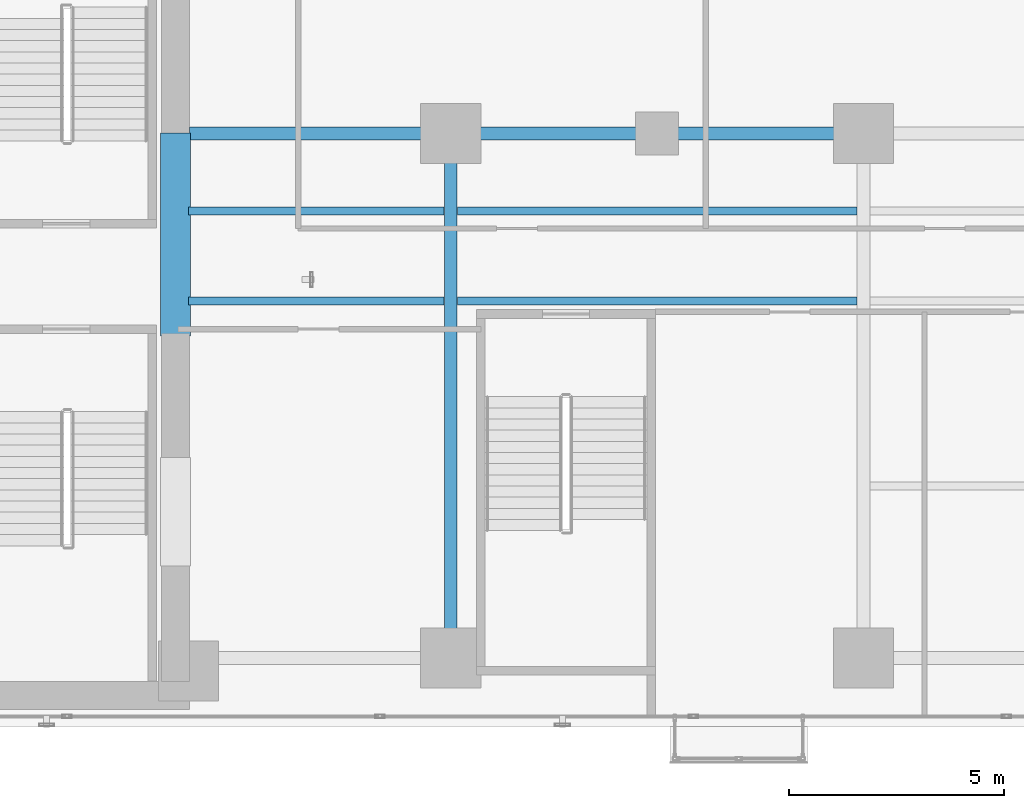
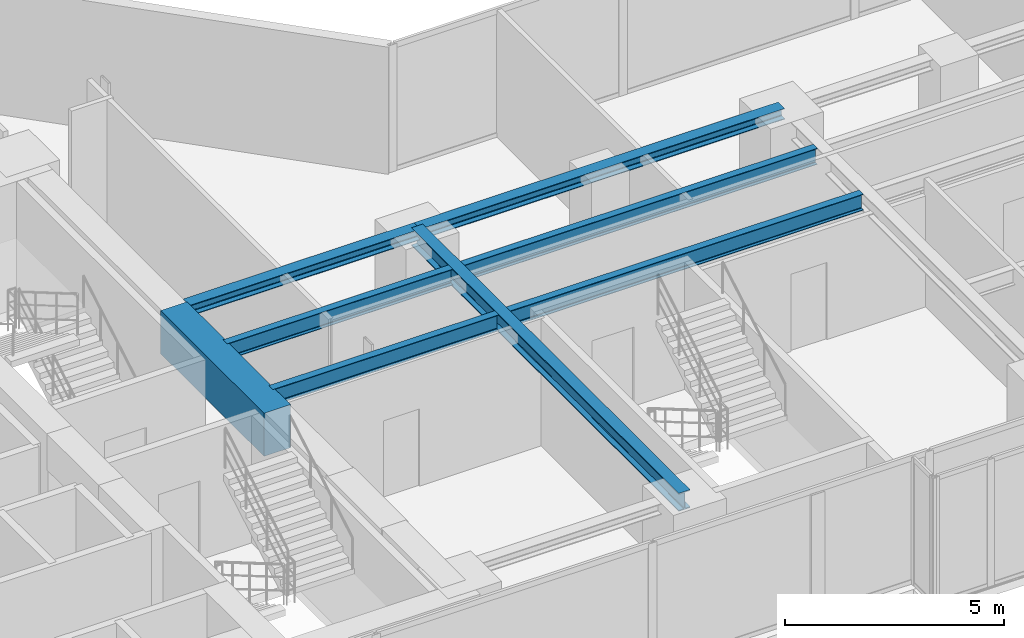
# One storey, part 6 of 28: 8 beams.
"""IFC4 building model written with IfcOpenShell, lengths in metres."""

import ifcopenshell
import ifcopenshell.guid

model = None  # the IFC model being written
_history = None  # IfcOwnerHistory: only IFC2X3 demands one
_inside = {}  # id of a spatial element -> (the spatial element, [elements in it])
_under = {}  # id of a project, library or spatial element -> (it, [spatial elements below it])
_declared = {}  # id of a project -> (the project, [libraries it declares])
_typed = {}  # id of a type object -> (the type object, [elements of that type])
_made_of = {}  # id of a material, layer set ... -> (it, [elements and type objects made of it])


def new_model(schema):
    """Start an empty IFC model of exactly this schema.

    Asked for "IFC4X3", IfcOpenShell would pick the latest addendum, in which some entities
    have other attributes; the version numbers below select the first issue.
    IFC2X3 requires an IfcOwnerHistory on every rooted entity: one is made here for all.
    """
    global model, _history
    if schema == "IFC4X3":
        model = ifcopenshell.file(schema_version=(4, 3, 0, 0))
    else:
        model = ifcopenshell.file(schema=schema)
    _inside.clear()
    _under.clear()
    _declared.clear()
    _typed.clear()
    _made_of.clear()
    _history = None
    if model.schema == "IFC2X3":
        org = make("IfcOrganization", Name="unknown")
        user = make(
            "IfcPersonAndOrganization",
            ThePerson=make("IfcPerson", FamilyName="unknown"),
            TheOrganization=org,
        )
        app = make(
            "IfcApplication",
            ApplicationDeveloper=org,
            Version="unknown",
            ApplicationFullName="unknown",
            ApplicationIdentifier="unknown",
        )
        _history = make(
            "IfcOwnerHistory",
            OwningUser=user,
            OwningApplication=app,
            ChangeAction="ADDED",
            CreationDate=0,
        )
    return model


def make(cls, **values):
    """One entity of the class cls with the attributes given. An attribute that is None is left unset."""
    return model.create_entity(
        cls, **{name: value for name, value in values.items() if value is not None}
    )


def rooted(cls, **values):
    """An entity with a GlobalId (a new one), such as an element, a storey or a relation."""
    return make(cls, GlobalId=ifcopenshell.guid.new(), OwnerHistory=_history, **values)


def si_unit(unit_type, name, prefix=None):
    """IfcSIUnit, for example si_unit("LENGTHUNIT", "METRE", prefix="MILLI")."""
    return make("IfcSIUnit", UnitType=unit_type, Prefix=prefix, Name=name)


def assignment(units):
    """IfcUnitAssignment: the units of a project."""
    return None if units is None else make("IfcUnitAssignment", Units=units)


def point(xyz):
    """IfcCartesianPoint."""
    return None if xyz is None else make("IfcCartesianPoint", Coordinates=xyz)


def direction(xyz):
    """IfcDirection."""
    return None if xyz is None else make("IfcDirection", DirectionRatios=xyz)


def frame(location, z_axis=None, x_axis=None):
    """IfcAxis2Placement3D, a coordinate frame: its origin and axes. An axis left out is left unset."""
    return make(
        "IfcAxis2Placement3D",
        Location=point(location),
        Axis=direction(z_axis),
        RefDirection=direction(x_axis),
    )


def frame_2d(location, x_axis=None):
    """IfcAxis2Placement2D, a coordinate frame in the plane: its origin and x axis."""
    return make(
        "IfcAxis2Placement2D", Location=point(location), RefDirection=direction(x_axis)
    )


def origin():
    """The frame at (0, 0, 0) with its axes left unset."""
    return frame((0.0, 0.0, 0.0))


def origin_2d():
    """The frame at (0, 0) in the plane with its x axis left unset."""
    return frame_2d((0.0, 0.0))


def place(relative_to, where):
    """IfcLocalPlacement: puts the frame where relative to a parent placement (None: the world)."""
    return make(
        "IfcLocalPlacement", PlacementRelTo=relative_to, RelativePlacement=where
    )


def context(
    kind, dimensions, precision=None, world=None, true_north=None, identifier=None
):
    """IfcGeometricRepresentationContext, for example the 3D "Model" context."""
    return make(
        "IfcGeometricRepresentationContext",
        ContextIdentifier=identifier,
        ContextType=kind,
        CoordinateSpaceDimension=dimensions,
        Precision=precision,
        WorldCoordinateSystem=world,
        TrueNorth=true_north,
    )


def subcontext(parent, identifier, kind, view, scale=None):
    """IfcGeometricRepresentationSubContext, for example "Body" below "Model"."""
    return make(
        "IfcGeometricRepresentationSubContext",
        ContextIdentifier=identifier,
        ContextType=kind,
        ParentContext=parent,
        TargetScale=scale,
        TargetView=view,
    )


def project(units=None, contexts=None):
    """IfcProject with its units and contexts."""
    return rooted(
        "IfcProject",
        Name="project",
        RepresentationContexts=contexts,
        UnitsInContext=assignment(units),
    )


def spatial(cls, under=None, at=None, **own):
    """A site, building, storey or space (cls), placed at a placement, below another one or the project."""
    s = rooted(cls, ObjectPlacement=at, **own)
    if under is not None:
        _under.setdefault(under.id(), (under, []))[1].append(s)
    return s


def profile(cls, at=None, kind="AREA", **sizes):
    """A parametric profile (cls). Its sizes go by their IFC names, for example OverallWidth=200.0."""
    return make(cls, ProfileType=kind, Position=at, **sizes)


def rectangle(**sizes):
    """IfcRectangleProfileDef."""
    return profile("IfcRectangleProfileDef", **sizes)


def i_section(**sizes):
    """IfcIShapeProfileDef."""
    return profile("IfcIShapeProfileDef", **sizes)


def extrude(swept, where, along, depth):
    """IfcExtrudedAreaSolid: the profile swept, set in the frame where, extruded along a direction by depth."""
    return make(
        "IfcExtrudedAreaSolid",
        SweptArea=swept,
        Position=where,
        ExtrudedDirection=direction(along),
        Depth=depth,
    )


def shape(context_of_items, identifier, shape_type, items):
    """IfcShapeRepresentation: the items that make up one representation, for example the "Body"."""
    return make(
        "IfcShapeRepresentation",
        ContextOfItems=context_of_items,
        RepresentationIdentifier=identifier,
        RepresentationType=shape_type,
        Items=items,
    )


def material(Name=None, Category=None):
    """IfcMaterial."""
    return make("IfcMaterial", Name=Name, Category=Category)


def material_profile(
    of_material, cross_section, Name=None, Category=None, Priority=None
):
    """IfcMaterialProfile: a cross section and its material."""
    return make(
        "IfcMaterialProfile",
        Name=Name,
        Material=of_material,
        Profile=cross_section,
        Priority=Priority,
        Category=Category,
    )


def profile_set(profiles, Name=None, composite=None):
    """IfcMaterialProfileSet."""
    return make(
        "IfcMaterialProfileSet",
        Name=Name,
        MaterialProfiles=profiles,
        CompositeProfile=composite,
    )


def made_of(thing, what):
    """Note that an element or type object is made of a material, layer set ...; save() writes the relation."""
    if what is not None:
        _made_of.setdefault(what.id(), (what, []))[1].append(thing)
    return thing


def type_object(cls, material=None, **own):
    """A type object (cls), such as IfcWallType, which elements share."""
    return made_of(rooted(cls, **own), material)


def element(
    cls,
    number,
    at=None,
    inside=None,
    cuts=None,
    type_object=None,
    material=None,
    context=None,
    identifier="Body",
    shape_type=None,
    held_by="IfcProductDefinitionShape",
    body=None,
    shapes=None,
    **own,
):
    """One element of the class cls, such as IfcWall. Its Tag is "e" and its number.

    at: its placement. inside: the storey or other place that contains it. cuts: it is an
    opening in that element (IfcRelVoidsElement). A single representation is given by context,
    identifier, shape_type and body (its items); several are given by shapes. held_by: the class
    of the entity that holds the representations. save() writes the other relations.
    """
    e = rooted(cls, Tag="e%d" % number, ObjectPlacement=at, **own)
    if body is not None:
        shapes = [shape(context, identifier, shape_type, body)]
    if shapes is not None:
        e.Representation = make(held_by, Representations=shapes)
    if inside is not None:
        _inside.setdefault(inside.id(), (inside, []))[1].append(e)
    if cuts is not None:
        rooted(
            "IfcRelVoidsElement", RelatingBuildingElement=cuts, RelatedOpeningElement=e
        )
    if type_object is not None:
        _typed.setdefault(type_object.id(), (type_object, []))[1].append(e)
    return made_of(e, material)


def aggregate(whole, parts):
    """IfcRelAggregates: a whole, such as a stair, and the parts it consists of."""
    return rooted("IfcRelAggregates", RelatingObject=whole, RelatedObjects=parts)


def save(model, path):
    """Write the relations noted so far, then the file.

    IfcRelAggregates (storeys below a building ...), IfcRelContainedInSpatialStructure (elements
    in a storey), IfcRelDefinesByType, IfcRelAssociatesMaterial and IfcRelDeclares: one each for
    every whole, place, type object, material and project.
    """
    for whole, parts in _under.values():
        aggregate(whole, parts)
    for where, things in _inside.values():
        rooted(
            "IfcRelContainedInSpatialStructure",
            RelatedElements=things,
            RelatingStructure=where,
        )
    for kind, things in _typed.values():
        rooted("IfcRelDefinesByType", RelatedObjects=things, RelatingType=kind)
    for what, things in _made_of.values():
        rooted("IfcRelAssociatesMaterial", RelatedObjects=things, RelatingMaterial=what)
    for by, libraries in _declared.values():
        rooted("IfcRelDeclares", RelatingContext=by, RelatedDefinitions=libraries)
    model.write(path)


model = new_model("IFC4")

# Units and contexts
model_context = context("Model", 3, precision=1e-05, world=origin(), true_north=direction((0.0, 1.0)))
body_context = subcontext(model_context, "Body", "Model", "MODEL_VIEW")
ifc_project = project(units=[si_unit("LENGTHUNIT", "METRE"), si_unit("AREAUNIT", "SQUARE_METRE"), si_unit("VOLUMEUNIT", "CUBIC_METRE"), si_unit("PLANEANGLEUNIT", "RADIAN"), si_unit("MASSUNIT", "GRAM", prefix="KILO")], contexts=[model_context])

# Site, building, storey
site_placement = place(None, origin())
site = spatial("IfcSite", under=ifc_project, at=site_placement, CompositionType="ELEMENT")
building_placement = place(site_placement, origin())
building = spatial("IfcBuilding", under=site, at=building_placement, Name="Kolvaren Waterfront Exchange", CompositionType="ELEMENT")
storey_placement = place(building_placement, frame((0.0, 0.0, 114.5)))
storey = spatial("IfcBuildingStorey", under=building, at=storey_placement, Name="L29", CompositionType="ELEMENT", Elevation=114.5)

# Beams
ifc_material_1 = material(Name="Steel S355", Category="steel")
ifc_material_profile_1 = material_profile(ifc_material_1, i_section(OverallWidth=0.300048828125, OverallDepth=0.300048828125, WebThickness=0.010986328125, FlangeThickness=0.01904296875, FilletRadius=0.027099609375, at=origin_2d()), Name="HEB300")
ifc_profile_set_1 = profile_set([ifc_material_profile_1], Name="Steel S355")
beam_type_1 = type_object("IfcBeamType", Name="STR-BM-HEB300", PredefinedType="SPANDREL", material=ifc_profile_set_1)
beam_1_placement = place(storey_placement, frame((21.125, 17.39990234375, 3.389892578125), z_axis=(1.0, 0.0, 0.0), x_axis=(0.0, 1.0, 0.0)))
element("IfcBeam", 1, at=beam_1_placement, inside=storey, type_object=beam_type_1, Name="L29 east-arm spandrel N1", PredefinedType="SPANDREL", context=body_context, shape_type="SweptSolid", body=[
    extrude(i_section(OverallWidth=0.300048828125, OverallDepth=0.300048828125, WebThickness=0.010986328125, FlangeThickness=0.01904296875, FilletRadius=0.027099609375, at=origin_2d()), origin(), (0.0, 0.0, 1.0), 6.074951171875),
])
beam_2_placement = place(storey_placement, frame((27.199951171875, 17.39990234375, 3.389892578125), z_axis=(1.0, 0.0, 0.0), x_axis=(0.0, 1.0, 0.0)))
element("IfcBeam", 2, at=beam_2_placement, inside=storey, type_object=beam_type_1, Name="L29 east-arm spandrel N2", PredefinedType="SPANDREL", context=body_context, shape_type="SweptSolid", body=[
    extrude(i_section(OverallWidth=0.300048828125, OverallDepth=0.300048828125, WebThickness=0.010986328125, FlangeThickness=0.01904296875, FilletRadius=0.027099609375, at=origin_2d()), origin(), (0.0, 0.0, 1.0), 9.60009765625),
])
ifc_material_profile_2 = material_profile(ifc_material_1, i_section(OverallWidth=0.300048828125, OverallDepth=0.5, WebThickness=0.014404296875, FlangeThickness=0.028076171875, FilletRadius=0.027099609375, at=origin_2d()), Name="HEB500")
ifc_profile_set_2 = profile_set([ifc_material_profile_2], Name="Steel S355")
beam_type_2 = type_object("IfcBeamType", Name="STR-BM-HEB500", PredefinedType="BEAM", material=ifc_profile_set_2)
beam_3_placement = place(storey_placement, frame((27.199951171875, 5.199951171875, 3.2900390625), z_axis=(0.0, 1.0, 0.0), x_axis=(-1.0, 0.0, 0.0)))
element("IfcBeam", 3, at=beam_3_placement, inside=storey, type_object=beam_type_2, Name="L29 east-arm transverse girder X27", PredefinedType="BEAM", context=body_context, shape_type="SweptSolid", body=[
    extrude(i_section(OverallWidth=0.300048828125, OverallDepth=0.5, WebThickness=0.014404296875, FlangeThickness=0.028076171875, FilletRadius=0.027099609375, at=origin_2d()), origin(), (0.0, 0.0, 1.0), 12.199951171875),
])
ifc_material_profile_3 = material_profile(ifc_material_1, i_section(OverallWidth=0.18994140625, OverallDepth=0.449951171875, WebThickness=0.009521484375, FlangeThickness=0.0146484375, FilletRadius=0.02099609375, at=origin_2d()), Name="IPE450")
ifc_profile_set_3 = profile_set([ifc_material_profile_3], Name="Steel S355")
beam_type_3 = type_object("IfcBeamType", Name="STR-BM-IPE450", PredefinedType="JOIST", material=ifc_profile_set_3)
for number, where, z_axis, x_axis, name in (
    (4, (21.10009765625, 13.5, 3.31494140625), (1.0, 0.0, 0.0), (0.0, 1.0, 0.0), "L29 east-arm composite joist 1A"),
    (5, (21.10009765625, 15.60009765625, 3.31494140625), (1.0, 0.0, 0.0), (0.0, 1.0, 0.0), "L29 east-arm composite joist 1C"),
):
    element("IfcBeam", number, at=place(storey_placement, frame(where, z_axis=z_axis, x_axis=x_axis)), inside=storey, type_object=beam_type_3, Name=name, PredefinedType="JOIST", context=body_context, shape_type="SweptSolid", body=[
        extrude(i_section(OverallWidth=0.18994140625, OverallDepth=0.449951171875, WebThickness=0.009521484375, FlangeThickness=0.0146484375, FilletRadius=0.02099609375, at=origin_2d()), origin(), (0.0, 0.0, 1.0), 5.947998046875),
    ])
for number, where, z_axis, x_axis, name in (
    (6, (27.35205078125, 13.5, 3.31494140625), (1.0, 0.0, 0.0), (0.0, 1.0, 0.0), "L29 east-arm composite joist 2A"),
    (7, (27.35205078125, 15.60009765625, 3.31494140625), (1.0, 0.0, 0.0), (0.0, 1.0, 0.0), "L29 east-arm composite joist 2C"),
):
    element("IfcBeam", number, at=place(storey_placement, frame(where, z_axis=z_axis, x_axis=x_axis)), inside=storey, type_object=beam_type_3, Name=name, PredefinedType="JOIST", context=body_context, shape_type="SweptSolid", body=[
        extrude(i_section(OverallWidth=0.18994140625, OverallDepth=0.449951171875, WebThickness=0.009521484375, FlangeThickness=0.0146484375, FilletRadius=0.02099609375, at=origin_2d()), origin(), (0.0, 0.0, 1.0), 9.2958984375),
    ])
ifc_material_2 = material(Name="Concrete C70/85", Category="concrete")
ifc_material_profile_4 = material_profile(ifc_material_2, rectangle(XDim=0.699951171875, YDim=1.199951171875, at=origin_2d()), Name="RC-CB-1200x700")
ifc_profile_set_4 = profile_set([ifc_material_profile_4], Name="Concrete C70/85")
beam_type_4 = type_object("IfcBeamType", Name="STR-CB-1200", PredefinedType="SPANDREL", material=ifc_profile_set_4)
beam_4_placement = place(storey_placement, frame((20.800048828125, 12.68994140625, 2.93994140625), z_axis=(0.0, 1.0, 0.0), x_axis=(-1.0, 0.0, 0.0)))
element("IfcBeam", 8, at=beam_4_placement, inside=storey, type_object=beam_type_4, Name="L29 core coupling beam 2", PredefinedType="SPANDREL", context=body_context, shape_type="SweptSolid", body=[
    extrude(rectangle(XDim=0.699951171875, YDim=1.199951171875, at=origin_2d()), origin(), (0.0, 0.0, 1.0), 4.719970703125),
])

save(model, "model.ifc")
